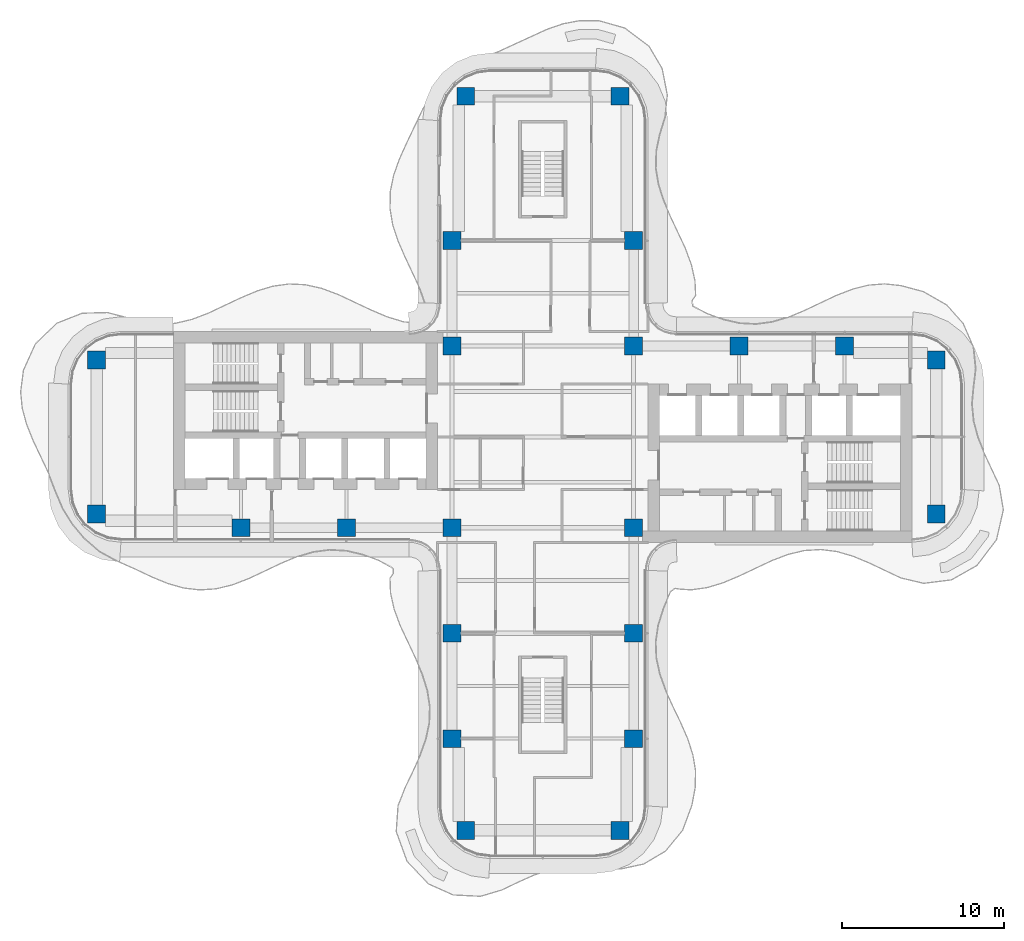
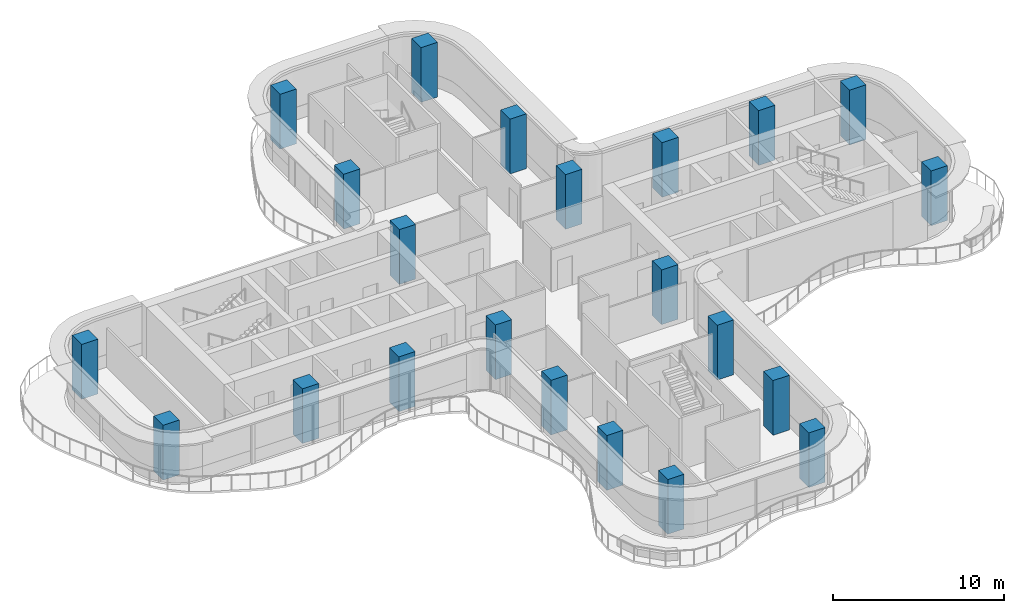
# One storey, part 1 of 17: 22 columns.
"""IFC4 building model written with IfcOpenShell, lengths in metres."""

from ifc_helpers import new_model, si_unit, direction, frame, origin, origin_2d, place, context, subcontext, project, spatial, rectangle, extrude, source, transform, mapped, material, material_profile, profile_set, type_object, element, save


model = new_model("IFC4")

# Units and contexts
model_context = context("Model", 3, precision=1e-05, world=origin(), true_north=direction((0.0, 1.0)))
body_context = subcontext(model_context, "Body", "Model", "MODEL_VIEW")
ifc_project = project(units=[si_unit("LENGTHUNIT", "METRE"), si_unit("AREAUNIT", "SQUARE_METRE"), si_unit("VOLUMEUNIT", "CUBIC_METRE"), si_unit("PLANEANGLEUNIT", "RADIAN"), si_unit("MASSUNIT", "GRAM", prefix="KILO")], contexts=[model_context])

# Site, building, storey
site_placement = place(None, origin())
site = spatial("IfcSite", under=ifc_project, at=site_placement, CompositionType="ELEMENT")
building_placement = place(site_placement, origin())
building = spatial("IfcBuilding", under=site, at=building_placement, Name="Trellis Farm Tower", CompositionType="ELEMENT")
storey_placement = place(building_placement, frame((0.0, 0.0, 232.39990234375)))
storey = spatial("IfcBuildingStorey", under=building, at=storey_placement, Name="L51", CompositionType="ELEMENT", Elevation=232.39990234375)

# Columns
ifc_material = material(Name="Concrete C60/75", Category="concrete")
ifc_material_profile = material_profile(ifc_material, rectangle(XDim=1.10009765625, YDim=1.10009765625, at=origin_2d()), Name="RC column 1100x1100 C60/75")
ifc_profile_set = profile_set([ifc_material_profile], Name="Concrete C60/75")
column_type = type_object("IfcColumnType", Name="RC column 1100x1100 C60/75", PredefinedType="COLUMN", material=ifc_profile_set)
shared_shape = source(origin(), body_context, "Body", "SweptSolid", [
    extrude(rectangle(XDim=1.10009765625, YDim=1.10009765625, at=origin_2d()), origin(), (0.0, 0.0, 1.0), 3.900146484375),
])
for number, where, z_axis, x_axis, name in (
    (1, (12.10009765625, 5.60009765625, 0.0), (0.0, 0.0, 1.0), (1.0, 0.0, 0.0), "Column"),
    (2, (18.60009765625, 5.60009765625, 0.0), (0.0, 0.0, 1.0), (1.0, 0.0, 0.0), "Column"),
    (3, (24.25, 4.75, 0.0), (0.0, 0.0, 1.0), (1.0, 0.0, 0.0), "Column"),
    (4, (24.25, -4.75, 0.0), (0.0, 0.0, 1.0), (1.0, 0.0, 0.0), "Column"),
    (5, (-5.60009765625, 12.10009765625, 0.0), (0.0, 0.0, 1.0), (1.0, 0.0, 0.0), "Column"),
    (6, (-4.75, 21.0, 0.0), (0.0, 0.0, 1.0), (1.0, 0.0, 0.0), "Column"),
    (7, (5.60009765625, 12.10009765625, 0.0), (0.0, 0.0, 1.0), (1.0, 0.0, 0.0), "Column"),
    (8, (4.75, 21.0, 0.0), (0.0, 0.0, 1.0), (1.0, 0.0, 0.0), "Column"),
    (9, (5.60009765625, 5.60009765625, 0.0), (0.0, 0.0, 1.0), (1.0, 0.0, 0.0), "Column"),
    (10, (-5.60009765625, 5.60009765625, 0.0), (0.0, 0.0, 1.0), (1.0, 0.0, 0.0), "Column"),
    (11, (5.60009765625, -5.60009765625, 0.0), (0.0, 0.0, 1.0), (1.0, 0.0, 0.0), "Column"),
    (12, (-5.60009765625, -5.60009765625, 0.0), (0.0, 0.0, 1.0), (1.0, 0.0, 0.0), "Column"),
    (13, (5.60009765625, -12.10009765625, 0.0), (0.0, 0.0, 1.0), (1.0, 0.0, 0.0), "Column"),
    (14, (5.60009765625, -18.60009765625, 0.0), (0.0, 0.0, 1.0), (1.0, 0.0, 0.0), "Column"),
    (15, (4.75, -24.25, 0.0), (0.0, 0.0, 1.0), (1.0, 0.0, 0.0), "Column"),
    (16, (-5.60009765625, -12.10009765625, 0.0), (0.0, 0.0, 1.0), (1.0, 0.0, 0.0), "Column"),
    (17, (-5.60009765625, -18.60009765625, 0.0), (0.0, 0.0, 1.0), (1.0, 0.0, 0.0), "Column"),
    (18, (-4.75, -24.25, 0.0), (0.0, 0.0, 1.0), (1.0, 0.0, 0.0), "Column"),
    (19, (-12.10009765625, -5.60009765625, 0.0), (0.0, 0.0, 1.0), (1.0, 0.0, 0.0), "Column"),
    (20, (-18.60009765625, -5.60009765625, 0.0), (0.0, 0.0, 1.0), (1.0, 0.0, 0.0), "Column"),
    (21, (-27.5, -4.75, 0.0), (0.0, 0.0, 1.0), (1.0, 0.0, 0.0), "Column"),
    (22, (-27.5, 4.75, 0.0), (0.0, 0.0, 1.0), (1.0, 0.0, 0.0), "Column"),
):
    element("IfcColumn", number, at=place(storey_placement, frame(where, z_axis=z_axis, x_axis=x_axis)), inside=storey, type_object=column_type, Name=name, PredefinedType="COLUMN", context=body_context, shape_type="MappedRepresentation", body=[
        mapped(shared_shape, transform((0.0, 0.0, 0.0))),
    ])

save(model, "model.ifc")
